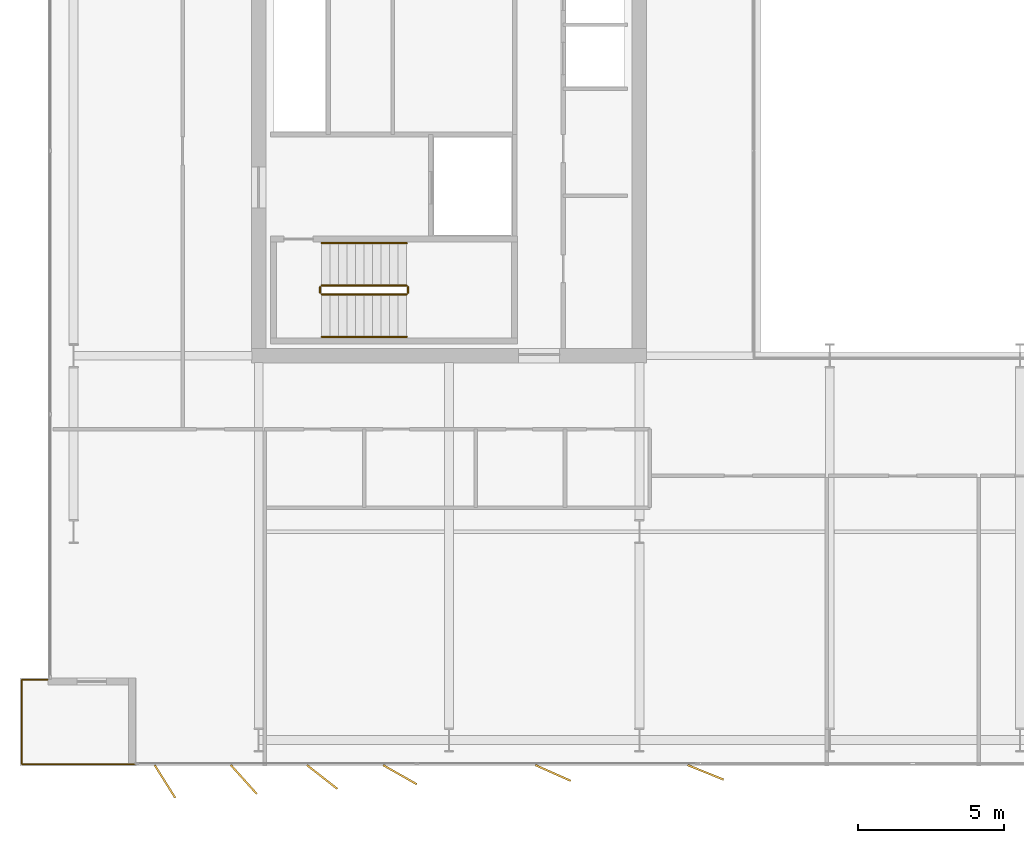
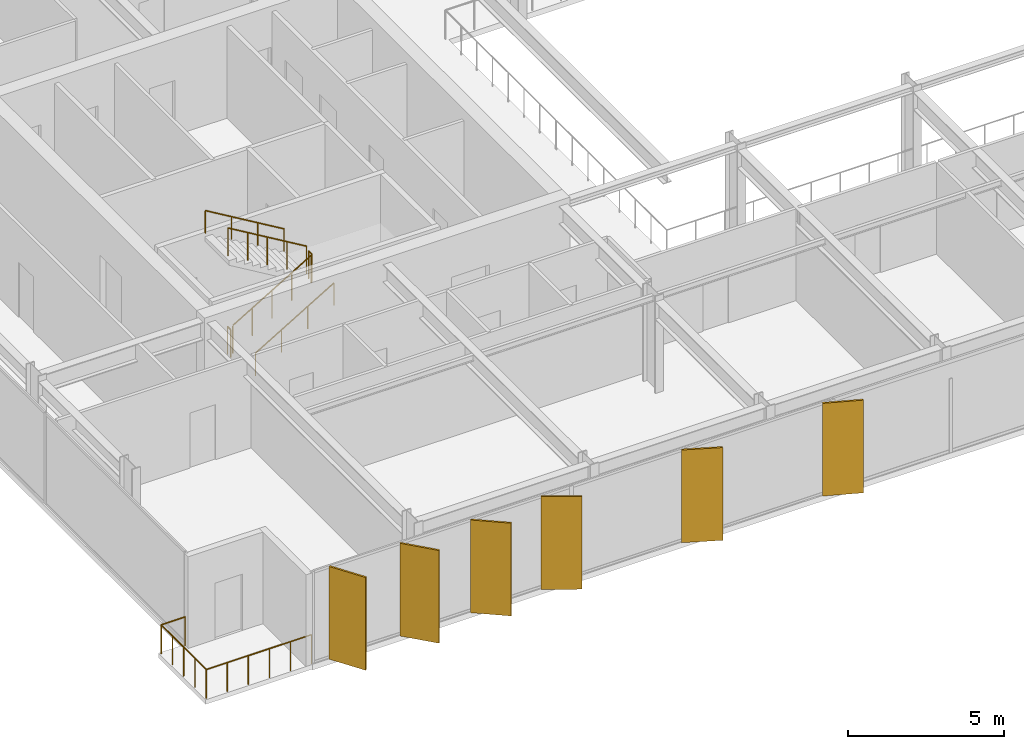
# One storey, part 21 of 24: 7 railings, 6 shading devices.
"""IFC4 building model written with IfcOpenShell, lengths in metres."""

from ifc_helpers import new_model, si_unit, direction, frame, origin, origin_2d, place, context, subcontext, project, spatial, rectangle, circle, extrude, material, layer, layer_set, type_object, element, save


model = new_model("IFC4")

# Units and contexts
model_context = context("Model", 3, precision=1e-05, world=origin(), true_north=direction((0.0, 1.0)))
body_context = subcontext(model_context, "Body", "Model", "MODEL_VIEW")
ifc_project = project(units=[si_unit("LENGTHUNIT", "METRE"), si_unit("AREAUNIT", "SQUARE_METRE"), si_unit("VOLUMEUNIT", "CUBIC_METRE"), si_unit("PLANEANGLEUNIT", "RADIAN"), si_unit("MASSUNIT", "GRAM", prefix="KILO")], contexts=[model_context])

# Site, building, storey
site_placement = place(None, origin())
site = spatial("IfcSite", under=ifc_project, at=site_placement, CompositionType="ELEMENT")
building_placement = place(site_placement, origin())
building = spatial("IfcBuilding", under=site, at=building_placement, Name="Putna Gate Headquarters", CompositionType="ELEMENT")
storey_placement = place(building_placement, frame((0.0, 0.0, 236.60009765625)))
storey = spatial("IfcBuildingStorey", under=building, at=storey_placement, Name="L59", CompositionType="ELEMENT", Elevation=236.60009765625)

# Railings
ifc_material_1 = material(Name="Powder-coated steel stair guardrail", Category="steel")
railing_type_1 = type_object("IfcRailingType", Name="RAIL-STAIR-GUARD-1100", PredefinedType="GUARDRAIL", material=ifc_material_1)
railing_1_placement = place(storey_placement, frame((15.14990234375, 21.10009765625, 0.172607421875)))
element("IfcRailing", 1, at=railing_1_placement, inside=storey, type_object=railing_type_1, Name="L59 ST1 stair guard 1", PredefinedType="GUARDRAIL", context=body_context, shape_type="SweptSolid", body=[
    extrude(circle(Radius=0.02392578125, at=origin_2d()), frame((0.0, 0.0, 1.076171875), z_axis=(0.859160404282, 0.0, 0.51170636083), x_axis=(0.0, 1.0, 0.0)), (0.0, 0.0, 1.0), 3.37548828125),
    extrude(circle(Radius=0.02099609375, at=origin_2d()), origin(), (0.0, 0.0, 1.0), 1.052001953125),
    extrude(circle(Radius=0.02099609375, at=origin_2d()), frame((0.72509765625, 0.0, 0.431884765625)), (0.0, 0.0, 1.0), 1.052001953125),
    extrude(circle(Radius=0.02099609375, at=origin_2d()), frame((1.4501953125, 0.0, 0.86376953125)), (0.0, 0.0, 1.0), 1.052001953125),
    extrude(circle(Radius=0.02099609375, at=origin_2d()), frame((2.175048828125, 0.0, 1.29541015625)), (0.0, 0.0, 1.0), 1.052001953125),
    extrude(circle(Radius=0.02099609375, at=origin_2d()), frame((2.900146484375, 0.0, 1.727294921875)), (0.0, 0.0, 1.0), 1.052001953125),
])
railing_2_placement = place(storey_placement, frame((18.10009765625, 21.14990234375, 1.89990234375)))
element("IfcRailing", 2, at=railing_2_placement, inside=storey, type_object=railing_type_1, Name="L59 ST1 stair guard 2", PredefinedType="GUARDRAIL", context=body_context, shape_type="SweptSolid", body=[
    extrude(circle(Radius=0.02392578125, at=origin_2d()), frame((0.0, 0.0, 1.076171875), z_axis=(0.0, 1.0, 0.0), x_axis=(-1.0, 0.0, 0.0)), (0.0, 0.0, 1.0), 0.2001953125),
    extrude(circle(Radius=0.02099609375, at=origin_2d()), origin(), (0.0, 0.0, 1.0), 1.052001953125),
    extrude(circle(Radius=0.02099609375, at=origin_2d()), frame((0.0, 0.2001953125, 0.0)), (0.0, 0.0, 1.0), 1.052001953125),
])
railing_3_placement = place(storey_placement, frame((18.050048828125, 21.39990234375, 2.072509765625)))
element("IfcRailing", 3, at=railing_3_placement, inside=storey, type_object=railing_type_1, Name="L59 ST1 stair guard 3", PredefinedType="GUARDRAIL", context=body_context, shape_type="SweptSolid", body=[
    extrude(circle(Radius=0.02392578125, at=origin_2d()), frame((0.0, 0.0, 1.076171875), z_axis=(-0.859160404282, 0.0, 0.51170636083), x_axis=(0.0, -1.0, 0.0)), (0.0, 0.0, 1.0), 3.37548828125),
    extrude(circle(Radius=0.02099609375, at=origin_2d()), origin(), (0.0, 0.0, 1.0), 1.052001953125),
    extrude(circle(Radius=0.02099609375, at=origin_2d()), frame((-0.72509765625, 0.0, 0.431884765625)), (0.0, 0.0, 1.0), 1.052001953125),
    extrude(circle(Radius=0.02099609375, at=origin_2d()), frame((-1.4501953125, 0.0, 0.86376953125)), (0.0, 0.0, 1.0), 1.052001953125),
    extrude(circle(Radius=0.02099609375, at=origin_2d()), frame((-2.175048828125, 0.0, 1.29541015625)), (0.0, 0.0, 1.0), 1.052001953125),
    extrude(circle(Radius=0.02099609375, at=origin_2d()), frame((-2.900146484375, 0.0, 1.727294921875)), (0.0, 0.0, 1.0), 1.052001953125),
])
railing_4_placement = place(storey_placement, frame((15.10009765625, 21.14990234375, 0.0)))
element("IfcRailing", 4, at=railing_4_placement, inside=storey, type_object=railing_type_1, Name="L59 ST1 stair guard 4", PredefinedType="GUARDRAIL", context=body_context, shape_type="SweptSolid", body=[
    extrude(circle(Radius=0.02392578125, at=origin_2d()), frame((0.0, 0.0, 1.076171875), z_axis=(0.0, 1.0, 0.0), x_axis=(-1.0, 0.0, 0.0)), (0.0, 0.0, 1.0), 0.2001953125),
    extrude(circle(Radius=0.02099609375, at=origin_2d()), origin(), (0.0, 0.0, 1.0), 1.052001953125),
    extrude(circle(Radius=0.02099609375, at=origin_2d()), frame((0.0, 0.2001953125, 0.0)), (0.0, 0.0, 1.0), 1.052001953125),
])
ifc_material_2 = material(Name="Brushed stainless steel handrail", Category="steel")
railing_type_2 = type_object("IfcRailingType", Name="RAIL-STAIR-HAND-900", PredefinedType="HANDRAIL", material=ifc_material_2)
railing_5_placement = place(storey_placement, frame((15.14990234375, 19.64990234375, 0.172607421875)))
element("IfcRailing", 5, at=railing_5_placement, inside=storey, type_object=railing_type_2, Name="L59 ST1 stair handrail 1", PredefinedType="HANDRAIL", context=body_context, shape_type="SweptSolid", body=[
    extrude(circle(Radius=0.02392578125, at=origin_2d()), frame((0.0, 0.0, 0.8759765625), z_axis=(0.859160404282, 0.0, 0.51170636083), x_axis=(0.0, 1.0, 0.0)), (0.0, 0.0, 1.0), 3.37548828125),
    extrude(circle(Radius=0.02099609375, at=origin_2d()), origin(), (0.0, 0.0, 1.0), 0.851806640625),
    extrude(circle(Radius=0.02099609375, at=origin_2d()), frame((0.966796875, 0.0, 0.57568359375)), (0.0, 0.0, 1.0), 0.851806640625),
    extrude(circle(Radius=0.02099609375, at=origin_2d()), frame((1.933349609375, 0.0, 1.151611328125)), (0.0, 0.0, 1.0), 0.851806640625),
    extrude(circle(Radius=0.02099609375, at=origin_2d()), frame((2.900146484375, 0.0, 1.727294921875)), (0.0, 0.0, 1.0), 0.851806640625),
])
railing_6_placement = place(storey_placement, frame((18.050048828125, 22.85009765625, 2.072509765625)))
element("IfcRailing", 6, at=railing_6_placement, inside=storey, type_object=railing_type_2, Name="L59 ST1 stair handrail 2", PredefinedType="HANDRAIL", context=body_context, shape_type="SweptSolid", body=[
    extrude(circle(Radius=0.02392578125, at=origin_2d()), frame((0.0, 0.0, 0.8759765625), z_axis=(-0.859160404282, 0.0, 0.51170636083), x_axis=(0.0, -1.0, 0.0)), (0.0, 0.0, 1.0), 3.37548828125),
    extrude(circle(Radius=0.02099609375, at=origin_2d()), origin(), (0.0, 0.0, 1.0), 0.851806640625),
    extrude(circle(Radius=0.02099609375, at=origin_2d()), frame((-0.966796875, 0.0, 0.57568359375)), (0.0, 0.0, 1.0), 0.851806640625),
    extrude(circle(Radius=0.02099609375, at=origin_2d()), frame((-1.933349609375, 0.0, 1.151611328125)), (0.0, 0.0, 1.0), 0.851806640625),
    extrude(circle(Radius=0.02099609375, at=origin_2d()), frame((-2.900146484375, 0.0, 1.727294921875)), (0.0, 0.0, 1.0), 0.851806640625),
])
ifc_material_3 = material(Name="Anodised bronze steel and laminated glass guardrail", Category="steel")
railing_type_3 = type_object("IfcRailingType", Name="RAIL-TERR-GUARD-1150", PredefinedType="GUARDRAIL", material=ifc_material_3)
railing_7_placement = place(storey_placement, frame((8.800048828125, 5.06005859375, 0.0)))
element("IfcRailing", 7, at=railing_7_placement, inside=storey, type_object=railing_type_3, Name="L59 Spiral Sky Terrace Guardrail SW", PredefinedType="GUARDRAIL", context=body_context, shape_type="SweptSolid", body=[
    extrude(circle(Radius=0.02392578125, at=origin_2d()), frame((0.0, 0.0, 1.1259765625), z_axis=(-1.0, 0.0, 0.0), x_axis=(0.0, -1.0, 0.0)), (0.0, 0.0, 1.0), 3.89013671875),
    extrude(circle(Radius=0.02392578125, at=origin_2d()), frame((-3.89013671875, 0.0, 1.1259765625), z_axis=(0.0, 1.0, 0.0), x_axis=(-1.0, 0.0, 0.0)), (0.0, 0.0, 1.0), 2.8798828125),
    extrude(circle(Radius=0.02392578125, at=origin_2d()), frame((-3.89013671875, 2.8798828125, 1.1259765625), z_axis=(1.0, 0.0, 0.0), x_axis=(0.0, 1.0, 0.0)), (0.0, 0.0, 1.0), 0.89013671875),
    extrude(circle(Radius=0.02099609375, at=origin_2d()), origin(), (0.0, 0.0, 1.0), 1.101806640625),
    extrude(circle(Radius=0.02099609375, at=origin_2d()), frame((-0.778076171875, 0.0, 0.0)), (0.0, 0.0, 1.0), 1.101806640625),
    extrude(circle(Radius=0.02099609375, at=origin_2d()), frame((-1.55615234375, 0.0, 0.0)), (0.0, 0.0, 1.0), 1.101806640625),
    extrude(circle(Radius=0.02099609375, at=origin_2d()), frame((-2.333984375, 0.0, 0.0)), (0.0, 0.0, 1.0), 1.101806640625),
    extrude(circle(Radius=0.02099609375, at=origin_2d()), frame((-3.112060546875, 0.0, 0.0)), (0.0, 0.0, 1.0), 1.101806640625),
    extrude(circle(Radius=0.02099609375, at=origin_2d()), frame((-3.89013671875, 0.0, 0.0)), (0.0, 0.0, 1.0), 1.101806640625),
    extrude(circle(Radius=0.02099609375, at=origin_2d()), frame((-3.89013671875, 0.719970703125, 0.0)), (0.0, 0.0, 1.0), 1.101806640625),
    extrude(circle(Radius=0.02099609375, at=origin_2d()), frame((-3.89013671875, 1.43994140625, 0.0)), (0.0, 0.0, 1.0), 1.101806640625),
    extrude(circle(Radius=0.02099609375, at=origin_2d()), frame((-3.89013671875, 2.159912109375, 0.0)), (0.0, 0.0, 1.0), 1.101806640625),
    extrude(circle(Radius=0.02099609375, at=origin_2d()), frame((-3.89013671875, 2.8798828125, 0.0)), (0.0, 0.0, 1.0), 1.101806640625),
    extrude(circle(Radius=0.02099609375, at=origin_2d()), frame((-3.0, 2.8798828125, 0.0)), (0.0, 0.0, 1.0), 1.101806640625),
])

# Shading devices
ifc_material_4 = material(Name="Anodised architectural bronze aluminium fin", Category="aluminium")
ifc_layer = layer(ifc_material_4, 0.06494140625)
ifc_layer_set = layer_set([ifc_layer], Name="Anodised architectural bronze aluminium fin")
shading_device_type = type_object("IfcShadingDeviceType", Name="SHADE-BRONZE-FIN-1320", PredefinedType="USERDEFINED", material=ifc_layer_set)
for number, where, z_axis, x_axis, name in (
    (8, (9.80029296875, 4.465576171875, -0.020263671875), (0.0, 0.0, 1.0), (0.530659123936, -0.847585331506, 0.0), "L59 Bronze Vertical Shading Fin S1"),
    (9, (12.49169921875, 4.534423828125, -0.020263671875), (0.0, 0.0, 1.0), (0.669130606359, -0.743144825477, 0.0), "L59 Bronze Vertical Shading Fin S2"),
    (10, (15.169677734375, 4.6181640625, -0.020263671875), (0.0, 0.0, 1.0), (0.787473187632, -0.616348909921, 0.0), "L59 Bronze Vertical Shading Fin S3"),
    (11, (17.82373046875, 4.69873046875, -0.020263671875), (0.0, 0.0, 1.0), (0.869322458298, -0.494245347472, 0.0), "L59 Bronze Vertical Shading Fin S4"),
    (12, (23.052978515625, 4.7568359375, -0.020263671875), (0.0, 0.0, 1.0), (0.913687379856, -0.40641773078, 0.0), "L59 Bronze Vertical Shading Fin S5"),
    (13, (28.261962890625, 4.77783203125, -0.020263671875), (0.0, 0.0, 1.0), (0.927183854567, -0.374606593416, 0.0), "L59 Bronze Vertical Shading Fin S6"),
):
    element("IfcShadingDevice", number, at=place(storey_placement, frame(where, z_axis=z_axis, x_axis=x_axis)), inside=storey, type_object=shading_device_type, Name=name, ObjectType="FIN", PredefinedType="USERDEFINED", context=body_context, shape_type="SweptSolid", body=[
        extrude(rectangle(XDim=1.320068359375, YDim=0.06494140625, at=origin_2d()), origin(), (0.0, 0.0, 1.0), 3.6201171875),
    ])

save(model, "model.ifc")
